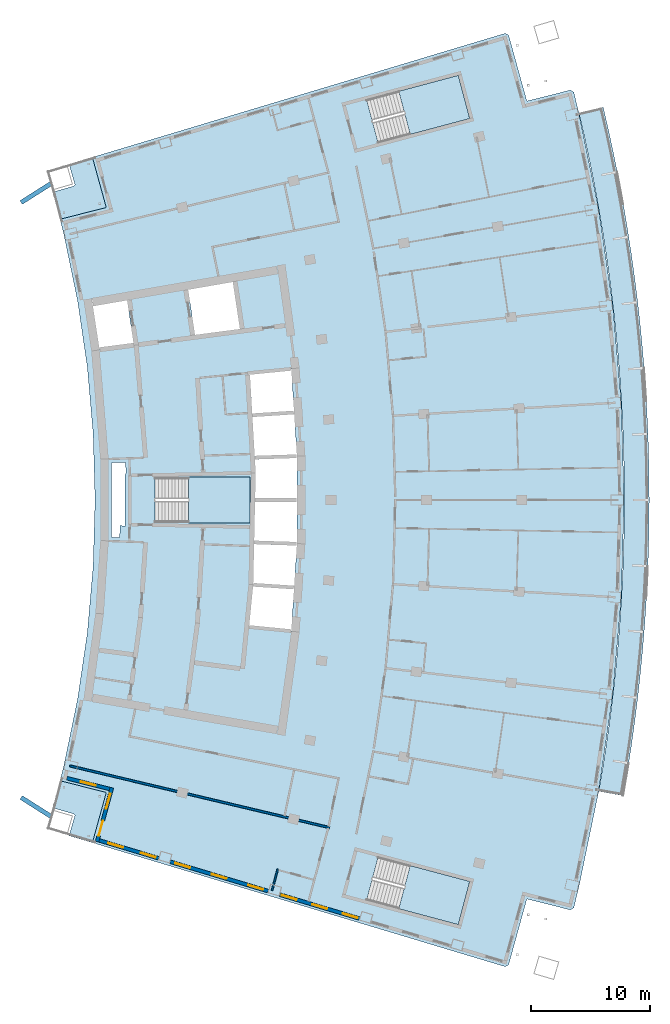
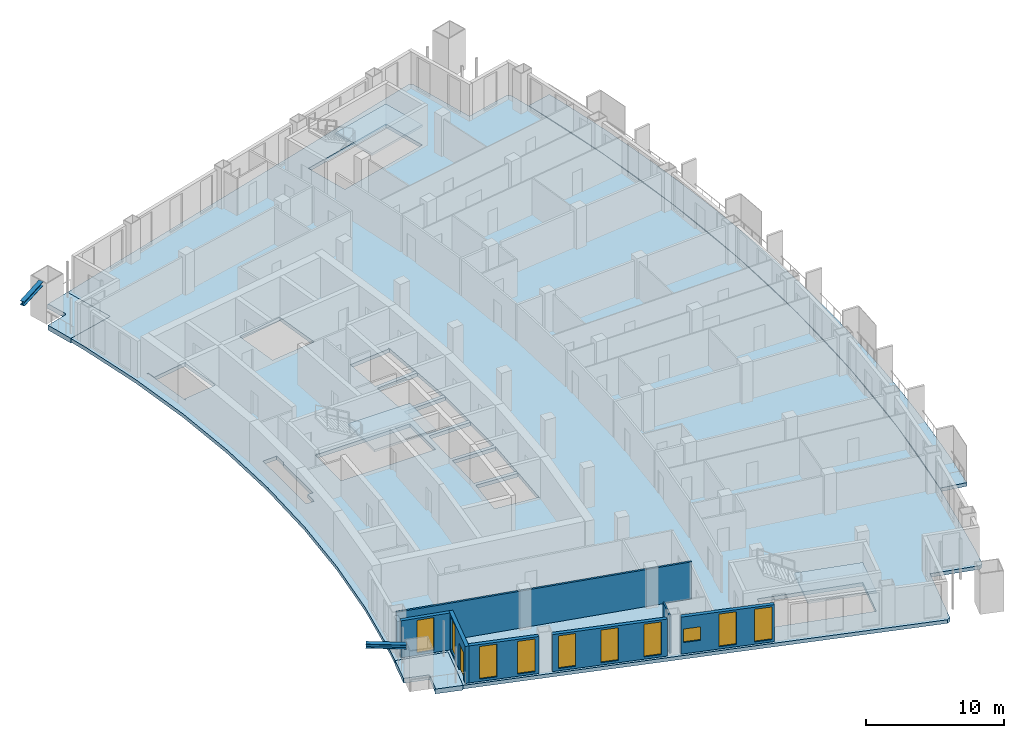
# One storey, part 9 of 20: 10 windows, 7 slabs, 7 walls, 2 members, 1 door, 11 openings, 3 elements without a shape of their own.
"""IFC4 building model written with IfcOpenShell, lengths in metres."""

import ifcopenshell
import ifcopenshell.guid

model = None  # the IFC model being written
_history = None  # IfcOwnerHistory: only IFC2X3 demands one
_inside = {}  # id of a spatial element -> (the spatial element, [elements in it])
_under = {}  # id of a project, library or spatial element -> (it, [spatial elements below it])
_declared = {}  # id of a project -> (the project, [libraries it declares])
_typed = {}  # id of a type object -> (the type object, [elements of that type])
_made_of = {}  # id of a material, layer set ... -> (it, [elements and type objects made of it])


def new_model(schema):
    """Start an empty IFC model of exactly this schema.

    Asked for "IFC4X3", IfcOpenShell would pick the latest addendum, in which some entities
    have other attributes; the version numbers below select the first issue.
    IFC2X3 requires an IfcOwnerHistory on every rooted entity: one is made here for all.
    """
    global model, _history
    if schema == "IFC4X3":
        model = ifcopenshell.file(schema_version=(4, 3, 0, 0))
    else:
        model = ifcopenshell.file(schema=schema)
    _inside.clear()
    _under.clear()
    _declared.clear()
    _typed.clear()
    _made_of.clear()
    _history = None
    if model.schema == "IFC2X3":
        org = make("IfcOrganization", Name="unknown")
        user = make(
            "IfcPersonAndOrganization",
            ThePerson=make("IfcPerson", FamilyName="unknown"),
            TheOrganization=org,
        )
        app = make(
            "IfcApplication",
            ApplicationDeveloper=org,
            Version="unknown",
            ApplicationFullName="unknown",
            ApplicationIdentifier="unknown",
        )
        _history = make(
            "IfcOwnerHistory",
            OwningUser=user,
            OwningApplication=app,
            ChangeAction="ADDED",
            CreationDate=0,
        )
    return model


def make(cls, **values):
    """One entity of the class cls with the attributes given. An attribute that is None is left unset."""
    return model.create_entity(
        cls, **{name: value for name, value in values.items() if value is not None}
    )


def rooted(cls, **values):
    """An entity with a GlobalId (a new one), such as an element, a storey or a relation."""
    return make(cls, GlobalId=ifcopenshell.guid.new(), OwnerHistory=_history, **values)


def si_unit(unit_type, name, prefix=None):
    """IfcSIUnit, for example si_unit("LENGTHUNIT", "METRE", prefix="MILLI")."""
    return make("IfcSIUnit", UnitType=unit_type, Prefix=prefix, Name=name)


def assignment(units):
    """IfcUnitAssignment: the units of a project."""
    return None if units is None else make("IfcUnitAssignment", Units=units)


def point(xyz):
    """IfcCartesianPoint."""
    return None if xyz is None else make("IfcCartesianPoint", Coordinates=xyz)


def direction(xyz):
    """IfcDirection."""
    return None if xyz is None else make("IfcDirection", DirectionRatios=xyz)


def frame(location, z_axis=None, x_axis=None):
    """IfcAxis2Placement3D, a coordinate frame: its origin and axes. An axis left out is left unset."""
    return make(
        "IfcAxis2Placement3D",
        Location=point(location),
        Axis=direction(z_axis),
        RefDirection=direction(x_axis),
    )


def frame_2d(location, x_axis=None):
    """IfcAxis2Placement2D, a coordinate frame in the plane: its origin and x axis."""
    return make(
        "IfcAxis2Placement2D", Location=point(location), RefDirection=direction(x_axis)
    )


def origin():
    """The frame at (0, 0, 0) with its axes left unset."""
    return frame((0.0, 0.0, 0.0))


def origin_2d():
    """The frame at (0, 0) in the plane with its x axis left unset."""
    return frame_2d((0.0, 0.0))


def place(relative_to, where):
    """IfcLocalPlacement: puts the frame where relative to a parent placement (None: the world)."""
    return make(
        "IfcLocalPlacement", PlacementRelTo=relative_to, RelativePlacement=where
    )


def context(
    kind, dimensions, precision=None, world=None, true_north=None, identifier=None
):
    """IfcGeometricRepresentationContext, for example the 3D "Model" context."""
    return make(
        "IfcGeometricRepresentationContext",
        ContextIdentifier=identifier,
        ContextType=kind,
        CoordinateSpaceDimension=dimensions,
        Precision=precision,
        WorldCoordinateSystem=world,
        TrueNorth=true_north,
    )


def subcontext(parent, identifier, kind, view, scale=None):
    """IfcGeometricRepresentationSubContext, for example "Body" below "Model"."""
    return make(
        "IfcGeometricRepresentationSubContext",
        ContextIdentifier=identifier,
        ContextType=kind,
        ParentContext=parent,
        TargetScale=scale,
        TargetView=view,
    )


def project(units=None, contexts=None):
    """IfcProject with its units and contexts."""
    return rooted(
        "IfcProject",
        Name="project",
        RepresentationContexts=contexts,
        UnitsInContext=assignment(units),
    )


def spatial(cls, under=None, at=None, **own):
    """A site, building, storey or space (cls), placed at a placement, below another one or the project."""
    s = rooted(cls, ObjectPlacement=at, **own)
    if under is not None:
        _under.setdefault(under.id(), (under, []))[1].append(s)
    return s


def polyline(points):
    """IfcPolyline through the points."""
    return make("IfcPolyline", Points=[point(p) for p in points])


def profile(cls, at=None, kind="AREA", **sizes):
    """A parametric profile (cls). Its sizes go by their IFC names, for example OverallWidth=200.0."""
    return make(cls, ProfileType=kind, Position=at, **sizes)


def rectangle(**sizes):
    """IfcRectangleProfileDef."""
    return profile("IfcRectangleProfileDef", **sizes)


def i_section(**sizes):
    """IfcIShapeProfileDef."""
    return profile("IfcIShapeProfileDef", **sizes)


def outline(outer, holes=None, kind="AREA"):
    """IfcArbitraryClosedProfileDef: a profile drawn as a closed curve; with holes, ...WithVoids."""
    if holes is None:
        return make("IfcArbitraryClosedProfileDef", ProfileType=kind, OuterCurve=outer)
    return make(
        "IfcArbitraryProfileDefWithVoids",
        ProfileType=kind,
        OuterCurve=outer,
        InnerCurves=holes,
    )


def extrude(swept, where, along, depth):
    """IfcExtrudedAreaSolid: the profile swept, set in the frame where, extruded along a direction by depth."""
    return make(
        "IfcExtrudedAreaSolid",
        SweptArea=swept,
        Position=where,
        ExtrudedDirection=direction(along),
        Depth=depth,
    )


def shape(context_of_items, identifier, shape_type, items):
    """IfcShapeRepresentation: the items that make up one representation, for example the "Body"."""
    return make(
        "IfcShapeRepresentation",
        ContextOfItems=context_of_items,
        RepresentationIdentifier=identifier,
        RepresentationType=shape_type,
        Items=items,
    )


def material(Name=None, Category=None):
    """IfcMaterial."""
    return make("IfcMaterial", Name=Name, Category=Category)


def layer(
    of_material, thickness, ventilated=None, Name=None, Category=None, Priority=None
):
    """IfcMaterialLayer: one layer of a wall or slab, of a material (None: an air gap)."""
    return make(
        "IfcMaterialLayer",
        Material=of_material,
        LayerThickness=thickness,
        IsVentilated=ventilated,
        Name=Name,
        Category=Category,
        Priority=Priority,
    )


def layer_set(layers, Name=None):
    """IfcMaterialLayerSet."""
    return make("IfcMaterialLayerSet", MaterialLayers=layers, LayerSetName=Name)


def material_profile(
    of_material, cross_section, Name=None, Category=None, Priority=None
):
    """IfcMaterialProfile: a cross section and its material."""
    return make(
        "IfcMaterialProfile",
        Name=Name,
        Material=of_material,
        Profile=cross_section,
        Priority=Priority,
        Category=Category,
    )


def profile_set(profiles, Name=None, composite=None):
    """IfcMaterialProfileSet."""
    return make(
        "IfcMaterialProfileSet",
        Name=Name,
        MaterialProfiles=profiles,
        CompositeProfile=composite,
    )


def made_of(thing, what):
    """Note that an element or type object is made of a material, layer set ...; save() writes the relation."""
    if what is not None:
        _made_of.setdefault(what.id(), (what, []))[1].append(thing)
    return thing


def type_object(cls, material=None, **own):
    """A type object (cls), such as IfcWallType, which elements share."""
    return made_of(rooted(cls, **own), material)


def element(
    cls,
    number,
    at=None,
    inside=None,
    cuts=None,
    type_object=None,
    material=None,
    context=None,
    identifier="Body",
    shape_type=None,
    held_by="IfcProductDefinitionShape",
    body=None,
    shapes=None,
    **own,
):
    """One element of the class cls, such as IfcWall. Its Tag is "e" and its number.

    at: its placement. inside: the storey or other place that contains it. cuts: it is an
    opening in that element (IfcRelVoidsElement). A single representation is given by context,
    identifier, shape_type and body (its items); several are given by shapes. held_by: the class
    of the entity that holds the representations. save() writes the other relations.
    """
    e = rooted(cls, Tag="e%d" % number, ObjectPlacement=at, **own)
    if body is not None:
        shapes = [shape(context, identifier, shape_type, body)]
    if shapes is not None:
        e.Representation = make(held_by, Representations=shapes)
    if inside is not None:
        _inside.setdefault(inside.id(), (inside, []))[1].append(e)
    if cuts is not None:
        rooted(
            "IfcRelVoidsElement", RelatingBuildingElement=cuts, RelatedOpeningElement=e
        )
    if type_object is not None:
        _typed.setdefault(type_object.id(), (type_object, []))[1].append(e)
    return made_of(e, material)


def fill(opening, filler):
    """IfcRelFillsElement: the door or window that sits in an opening."""
    return rooted(
        "IfcRelFillsElement",
        RelatingOpeningElement=opening,
        RelatedBuildingElement=filler,
    )


def aggregate(whole, parts):
    """IfcRelAggregates: a whole, such as a stair, and the parts it consists of."""
    return rooted("IfcRelAggregates", RelatingObject=whole, RelatedObjects=parts)


def save(model, path):
    """Write the relations noted so far, then the file.

    IfcRelAggregates (storeys below a building ...), IfcRelContainedInSpatialStructure (elements
    in a storey), IfcRelDefinesByType, IfcRelAssociatesMaterial and IfcRelDeclares: one each for
    every whole, place, type object, material and project.
    """
    for whole, parts in _under.values():
        aggregate(whole, parts)
    for where, things in _inside.values():
        rooted(
            "IfcRelContainedInSpatialStructure",
            RelatedElements=things,
            RelatingStructure=where,
        )
    for kind, things in _typed.values():
        rooted("IfcRelDefinesByType", RelatedObjects=things, RelatingType=kind)
    for what, things in _made_of.values():
        rooted("IfcRelAssociatesMaterial", RelatedObjects=things, RelatingMaterial=what)
    for by, libraries in _declared.values():
        rooted("IfcRelDeclares", RelatingContext=by, RelatedDefinitions=libraries)
    model.write(path)


model = new_model("IFC4")

# Units and contexts
model_context = context("Model", 3, precision=1e-05, world=origin(), true_north=direction((0.0, 1.0)))
body_context = subcontext(model_context, "Body", "Model", "MODEL_VIEW")
ifc_project = project(units=[si_unit("LENGTHUNIT", "METRE"), si_unit("AREAUNIT", "SQUARE_METRE"), si_unit("VOLUMEUNIT", "CUBIC_METRE"), si_unit("PLANEANGLEUNIT", "RADIAN"), si_unit("MASSUNIT", "GRAM", prefix="KILO")], contexts=[model_context])

# Site, building, storey
site_placement = place(None, origin())
site = spatial("IfcSite", under=ifc_project, at=site_placement, CompositionType="ELEMENT")
building_placement = place(site_placement, origin())
building = spatial("IfcBuilding", under=site, at=building_placement, Name="Alderwake Tower", CompositionType="ELEMENT")
storey_placement = place(building_placement, frame((0.0, 0.0, 153.199951171875)))
storey = spatial("IfcBuildingStorey", under=building, at=storey_placement, Name="L37", CompositionType="ELEMENT", Elevation=153.199951171875)

# Members
ifc_material_1 = material(Name="Steel ASTM A992 Grade 50", Category="steel")
ifc_material_profile = material_profile(ifc_material_1, i_section(OverallWidth=0.3740234375, OverallDepth=0.372314453125, WebThickness=0.016357421875, FlangeThickness=0.026123046875, at=origin_2d()), Name="W14X132")
ifc_profile_set = profile_set([ifc_material_profile], Name="Steel ASTM A992 Grade 50")
member_type = type_object("IfcMemberType", Name="Brace node stub W14X132", PredefinedType="MEMBER", material=ifc_profile_set)
for number, where, z_axis, x_axis, name in (
    (1, (12.305908203125, 34.4482421875, 3.393798828125), (-0.844355929009, 0.535782665964, 0.0), (-0.535782665964, -0.844355929009, 0.0), "Brace node stub BS.RR02-C0.1568"),
    (2, (12.305908203125, 87.5517578125, 3.393798828125), (-0.844355929009, -0.535782665964, 0.0), (0.535782665964, -0.844355929009, 0.0), "Brace node stub BS.RR12-C0.1568"),
):
    element("IfcMember", number, at=place(storey_placement, frame(where, z_axis=z_axis, x_axis=x_axis)), inside=storey, type_object=member_type, Name=name, PredefinedType="MEMBER", context=body_context, shape_type="SweptSolid", body=[
        extrude(i_section(OverallWidth=0.3740234375, OverallDepth=0.372314453125, WebThickness=0.016357421875, FlangeThickness=0.026123046875, at=origin_2d()), origin(), (0.0, 0.0, 1.0), 2.964599609375),
    ])

# Slabs
ifc_material_2 = material(Name="Concrete C50/60", Category="concrete")
ifc_layer_1 = layer(ifc_material_2, 0.320068359375)
ifc_layer_set_1 = layer_set([ifc_layer_1], Name="Balcony slab 320")
slab_type_1 = type_object("IfcSlabType", Name="Balcony slab 320", PredefinedType="FLOOR", material=ifc_layer_set_1)
slab_1_placement = place(storey_placement, frame((0.0, 0.0, -0.320068359375)))
element("IfcSlab", 3, at=slab_1_placement, inside=storey, type_object=slab_type_1, Name="Balcony BF04", PredefinedType="FLOOR", context=body_context, shape_type="SweptSolid", body=[
    extrude(outline(polyline([(60.67041015625, 38.238525390625), (60.9873046875, 40.292236328125), (61.2744140625, 42.3505859375), (61.53125, 44.41259765625), (61.758056640625, 46.478515625), (61.954833984375, 48.547119140625), (62.121337890625, 50.61865234375), (62.257568359375, 52.692138671875), (62.363525390625, 54.767578125), (62.439453125, 56.84423828125), (62.48486328125, 58.921875), (62.5, 61.0), (62.48486328125, 63.078125), (62.439453125, 65.15576171875), (62.363525390625, 67.232421875), (62.257568359375, 69.307861328125), (62.121337890625, 71.38134765625), (61.954833984375, 73.452880859375), (61.758056640625, 75.521484375), (61.53125, 77.58740234375), (61.2744140625, 79.6494140625), (60.9873046875, 81.707763671875), (60.67041015625, 83.761474609375), (60.323486328125, 85.810302734375), (59.94677734375, 87.85400390625), (59.540283203125, 89.89208984375), (59.104248046875, 91.923828125), (58.638427734375, 93.94921875), (56.59521484375, 93.46337890625), (57.05419921875, 91.468017578125), (57.48388671875, 89.46630859375), (57.884521484375, 87.458251953125), (58.255615234375, 85.44482421875), (58.597412109375, 83.426025390625), (58.90966796875, 81.402587890625), (59.1923828125, 79.37451171875), (59.445556640625, 77.343017578125), (59.669189453125, 75.3076171875), (59.86279296875, 73.269287109375), (60.02685546875, 71.228515625), (60.1611328125, 69.185302734375), (60.265625, 67.140380859375), (60.34033203125, 65.094482421875), (60.385009765625, 63.04736328125), (60.39990234375, 61.0), (60.385009765625, 58.95263671875), (60.34033203125, 56.905517578125), (60.265625, 54.859619140625), (60.1611328125, 52.814697265625), (60.02685546875, 50.771484375), (59.86279296875, 48.730712890625), (59.669189453125, 46.6923828125), (59.445556640625, 44.656982421875), (59.1923828125, 42.62548828125), (58.90966796875, 40.597412109375), (58.597412109375, 38.573974609375), (58.255615234375, 36.55517578125), (60.323486328125, 36.189697265625), (60.67041015625, 38.238525390625)])), origin(), (0.0, 0.0, 1.0), 0.320068359375),
])
ifc_material_3 = material(Name="Concrete C50/60", Category="concrete")
ifc_layer_2 = layer(ifc_material_3, 0.320068359375)
ifc_layer_set_2 = layer_set([ifc_layer_2], Name="Concrete C50/60 post-tensioned flat plate 320")
slab_type_2 = type_object("IfcSlabType", Name="Concrete C50/60 post-tensioned flat plate 320", PredefinedType="FLOOR", material=ifc_layer_set_2)
slab_2_placement = place(storey_placement, frame((0.0, 0.0, -0.320068359375)))
element("IfcSlab", 4, at=slab_2_placement, inside=storey, type_object=slab_type_2, Name="Floor slab L37", PredefinedType="FLOOR", context=body_context, shape_type="SweptSolid", body=[
    extrude(outline(polyline([(13.06494140625, 37.443115234375), (13.3984375, 38.802734375), (14.53369140625, 44.28564453125), (15.347412109375, 49.825439453125), (15.836669921875, 55.4033203125), (16.0, 61.0), (15.836669921875, 66.5966796875), (15.347412109375, 72.174560546875), (14.53369140625, 77.71435546875), (13.3984375, 83.197265625), (13.06494140625, 84.556884765625), (16.942626953125, 85.53857421875), (15.776611328125, 89.7548828125), (50.4189453125, 100.155517578125), (50.70068359375, 100.0), (52.229736328125, 94.470458984375), (55.884521484375, 95.3955078125), (56.162109375, 95.228515625), (56.59521484375, 93.46337890625), (58.255615234375, 85.44482421875), (59.445556640625, 77.343017578125), (60.1611328125, 69.185302734375), (60.39990234375, 61.0), (60.1611328125, 52.814697265625), (59.445556640625, 44.656982421875), (58.255615234375, 36.55517578125), (56.59521484375, 28.53662109375), (56.162109375, 26.771484375), (55.884521484375, 26.6044921875), (52.229736328125, 27.529541015625), (50.70068359375, 22.0), (50.4189453125, 21.844482421875), (15.776611328125, 32.2451171875), (16.942626953125, 36.46142578125), (13.06494140625, 37.443115234375)]), holes=[polyline([(29.2578125, 53.77197265625), (28.9365234375, 50.4912109375), (32.447509765625, 50.147705078125), (32.432861328125, 49.998291015625), (32.462646484375, 49.995361328125), (32.701416015625, 53.660888671875), (32.940185546875, 57.32666015625), (32.940185546875, 61.0), (32.940185546875, 64.67333984375), (32.701416015625, 68.339111328125), (32.462646484375, 72.004638671875), (32.432861328125, 72.001708984375), (32.447509765625, 71.852294921875), (28.886962890625, 71.50390625), (28.88720703125, 71.50048828125), (28.99462890625, 71.506591796875), (29.184814453125, 68.26025390625), (32.66162109375, 68.48681640625), (32.67138671875, 68.337158203125), (32.68115234375, 68.1875), (29.2021484375, 67.960693359375), (29.392578125, 64.7080078125), (32.9052734375, 64.822265625), (32.91015625, 64.67236328125), (32.9150390625, 64.5224609375), (29.41015625, 64.408447265625), (29.4765625, 63.27685546875), (29.429443359375, 61.14990234375), (32.91015625, 61.14990234375), (32.91015625, 61.0), (32.91015625, 60.85009765625), (29.4228515625, 60.85009765625), (29.350830078125, 57.593505859375), (32.9150390625, 57.4775390625), (32.91015625, 57.32763671875), (32.9052734375, 57.177734375), (29.34423828125, 57.29345703125), (29.2705078125, 53.969482421875), (29.274169921875, 53.969482421875), (29.2783203125, 54.0341796875), (32.68115234375, 53.8125), (32.67138671875, 53.662841796875), (32.66162109375, 53.51318359375), (29.2587890625, 53.73486328125), (29.26123046875, 53.771728515625), (29.2578125, 53.77197265625)]), polyline([(21.050048828125, 62.875), (21.050048828125, 59.125), (29.0, 59.125), (29.0, 62.875), (21.050048828125, 62.875)]), polyline([(15.739013671875, 77.927490234375), (15.5361328125, 77.8916015625), (15.536865234375, 77.887939453125), (15.716796875, 77.91552734375), (16.379150390625, 73.605712890625), (16.4091796875, 73.609619140625), (16.38330078125, 73.80810546875), (19.224853515625, 74.1796875), (18.689697265625, 77.74365234375), (18.885986328125, 77.773193359375), (18.8837890625, 77.787109375), (15.854248046875, 77.261962890625), (15.739013671875, 77.927490234375)]), polyline([(27.555419921875, 79.29052734375), (23.811767578125, 78.6416015625), (24.384033203125, 74.8583984375), (24.373291015625, 74.856689453125), (24.373779296875, 74.85302734375), (28.152587890625, 75.347412109375), (27.555419921875, 79.29052734375)]), polyline([(47.436279296875, 28.996826171875), (39.754150390625, 31.043212890625), (38.7890625, 27.41943359375), (46.47119140625, 25.373291015625), (47.436279296875, 28.996826171875)]), polyline([(46.47119140625, 96.626708984375), (38.7890625, 94.58056640625), (39.754150390625, 90.956787109375), (47.436279296875, 93.003173828125), (46.47119140625, 96.626708984375)]), polyline([(17.389404296875, 64.1220703125), (17.389404296875, 57.8779296875), (18.06298828125, 57.85400390625), (18.090576171875, 58.84375), (18.544189453125, 58.831298828125), (18.529296875, 58.8681640625), (18.5234375, 58.891845703125), (18.5185546875, 58.940673828125), (18.5185546875, 63.060302734375), (18.5234375, 63.109130859375), (18.53759765625, 63.156005859375), (18.560791015625, 63.19921875), (18.588623046875, 63.2333984375), (18.562744140625, 64.16357421875), (17.389404296875, 64.1220703125)])]), origin(), (0.0, 0.0, 1.0), 0.320068359375),
])

# Stair, slab
ifc_material_4 = material(Name="Concrete C40/50", Category="concrete")
stair_type = type_object("IfcStairType", Name="Core exit stair", PredefinedType="HALF_TURN_STAIR", material=ifc_material_4)
stair_1_placement = place(storey_placement, origin())
stair_1 = element("IfcStair", 5, at=stair_1_placement, inside=storey, type_object=stair_type, Name="L37 Exit Stair B", PredefinedType="HALF_TURN_STAIR")
ifc_material_5 = material(Name="Concrete C40/50", Category="concrete")
ifc_layer_3 = layer(ifc_material_5, 0.199951171875)
ifc_layer_set_3 = layer_set([ifc_layer_3], Name="Core stair landing 200")
slab_type_3 = type_object("IfcSlabType", Name="Core stair landing 200", PredefinedType="LANDING", material=ifc_layer_set_3)
slab_3_placement = place(storey_placement, frame((0.0, 0.0, 1.60009765625)))
slab_3 = element("IfcSlab", 6, at=slab_3_placement, type_object=slab_type_3, Name="ST-B landing 1", PredefinedType="LANDING", context=body_context, shape_type="SweptSolid", body=[
    extrude(outline(polyline([(23.830078125, 59.074951171875), (29.0, 59.074951171875), (29.0, 62.925048828125), (23.830078125, 62.925048828125), (23.830078125, 59.074951171875)])), origin(), (0.0, 0.0, 1.0), 0.199951171875),
])
aggregate(stair_1, [slab_3])

stair_2_placement = place(storey_placement, origin())
stair_2 = element("IfcStair", 7, at=stair_2_placement, inside=storey, type_object=stair_type, Name="L37 Exit Stair A", PredefinedType="HALF_TURN_STAIR")
slab_4_placement = place(storey_placement, frame((0.0, 0.0, 1.60009765625)))
slab_4 = element("IfcSlab", 8, at=slab_4_placement, type_object=slab_type_3, Name="ST-A landing 1", PredefinedType="LANDING", context=body_context, shape_type="SweptSolid", body=[
    extrude(outline(polyline([(42.440673828125, 91.67236328125), (47.436279296875, 93.003173828125), (46.47119140625, 96.626708984375), (41.475341796875, 95.296142578125), (42.440673828125, 91.67236328125)])), origin(), (0.0, 0.0, 1.0), 0.199951171875),
])
aggregate(stair_2, [slab_4])

stair_3_placement = place(storey_placement, origin())
stair_3 = element("IfcStair", 9, at=stair_3_placement, inside=storey, type_object=stair_type, Name="L37 Exit Stair C", PredefinedType="HALF_TURN_STAIR")
slab_5_placement = place(storey_placement, frame((0.0, 0.0, 1.60009765625)))
slab_5 = element("IfcSlab", 10, at=slab_5_placement, type_object=slab_type_3, Name="ST-C landing 1", PredefinedType="LANDING", context=body_context, shape_type="SweptSolid", body=[
    extrude(outline(polyline([(41.475341796875, 26.703857421875), (46.47119140625, 25.373291015625), (47.436279296875, 28.996826171875), (42.4404296875, 30.32763671875), (41.475341796875, 26.703857421875)])), origin(), (0.0, 0.0, 1.0), 0.199951171875),
])
aggregate(stair_3, [slab_5])

# Slabs
ifc_material_6 = material(Name="Concrete C50/60", Category="concrete")
ifc_layer_4 = layer(ifc_material_6, 0.419921875)
ifc_layer_set_4 = layer_set([ifc_layer_4], Name="Terrace slab 420")
slab_type_4 = type_object("IfcSlabType", Name="Terrace slab 420", PredefinedType="FLOOR", material=ifc_layer_set_4)
slab_6_placement = place(storey_placement, frame((0.0, 0.0, -0.419921875)))
element("IfcSlab", 11, at=slab_6_placement, inside=storey, type_object=slab_type_4, Name="Corner terrace RS", PredefinedType="FLOOR", context=body_context, shape_type="SweptSolid", body=[
    extrude(outline(polyline([(15.776611328125, 32.2451171875), (13.768798828125, 32.847900390625), (13.77685546875, 32.851806640625), (13.789306640625, 32.859619140625), (13.801025390625, 32.868408203125), (13.81201171875, 32.878662109375), (13.82177734375, 32.8896484375), (13.830322265625, 32.901611328125), (13.837646484375, 32.914306640625), (13.84375, 32.927490234375), (13.8486328125, 32.94140625), (14.29443359375, 34.478271484375), (14.2978515625, 34.492431640625), (14.2998046875, 34.507080078125), (14.30029296875, 34.521728515625), (14.29931640625, 34.53662109375), (14.297119140625, 34.551025390625), (14.29345703125, 34.565185546875), (14.2880859375, 34.5791015625), (14.28173828125, 34.59228515625), (14.27392578125, 34.604736328125), (14.26513671875, 34.616455078125), (14.255126953125, 34.627197265625), (14.244140625, 34.63720703125), (14.232177734375, 34.645751953125), (14.219482421875, 34.653076171875), (14.2060546875, 34.6591796875), (14.192138671875, 34.6640625), (12.46337890625, 35.16552734375), (12.456787109375, 35.1669921875), (12.71142578125, 36.08837890625), (13.06494140625, 37.443115234375), (16.942626953125, 36.46142578125), (15.776611328125, 32.2451171875)])), origin(), (0.0, 0.0, 1.0), 0.419921875),
])
slab_7_placement = place(storey_placement, frame((0.0, 0.0, -0.419921875)))
element("IfcSlab", 12, at=slab_7_placement, inside=storey, type_object=slab_type_4, Name="Corner terrace RN", PredefinedType="FLOOR", context=body_context, shape_type="SweptSolid", body=[
    extrude(outline(polyline([(12.456787109375, 86.8330078125), (12.46337890625, 86.83447265625), (14.192138671875, 87.3359375), (14.2060546875, 87.3408203125), (14.219482421875, 87.346923828125), (14.232177734375, 87.354248046875), (14.244140625, 87.36279296875), (14.255126953125, 87.372802734375), (14.26513671875, 87.383544921875), (14.27392578125, 87.395263671875), (14.28173828125, 87.40771484375), (14.2880859375, 87.4208984375), (14.29345703125, 87.434814453125), (14.297119140625, 87.448974609375), (14.29931640625, 87.46337890625), (14.30029296875, 87.478271484375), (14.2998046875, 87.492919921875), (14.2978515625, 87.507568359375), (14.29443359375, 87.521728515625), (13.8486328125, 89.05859375), (13.84375, 89.072509765625), (13.837646484375, 89.085693359375), (13.830322265625, 89.098388671875), (13.82177734375, 89.1103515625), (13.81201171875, 89.121337890625), (13.801025390625, 89.131591796875), (13.789306640625, 89.140380859375), (13.77685546875, 89.148193359375), (13.768798828125, 89.152099609375), (15.776611328125, 89.7548828125), (16.942626953125, 85.53857421875), (13.06494140625, 84.556884765625), (12.71142578125, 85.91162109375), (12.456787109375, 86.8330078125)])), origin(), (0.0, 0.0, 1.0), 0.419921875),
])

# Wall
ifc_material_7 = material(Name="Gypsum board on metal studs, rated")
ifc_layer_5 = layer(ifc_material_7, 0.159912109375)
ifc_layer_set_5 = layer_set([ifc_layer_5], Name="Corridor wall 160")
wall_type_1 = type_object("IfcWallType", Name="Corridor wall 160", PredefinedType="PARTITIONING", material=ifc_layer_set_5)
wall_1_placement = place(storey_placement, frame((13.884033203125, 38.68798828125, 0.0), z_axis=(0.0, 0.0, 1.0), x_axis=(0.972893462073, -0.231253781493, 0.0)))
element("IfcWall", 13, at=wall_1_placement, inside=storey, type_object=wall_type_1, Name="WL/L37/W11", PredefinedType="PARTITIONING", context=body_context, shape_type="SweptSolid", body=[
    extrude(rectangle(XDim=22.38037109375, YDim=0.159912109375, at=frame_2d((11.190185546875, 0.0))), origin(), (0.0, 0.0, 1.0), 3.280029296875),
])

# Wall, opening, window
ifc_material_8 = material(Name="Bronze metal cladding on lightweight framing")
ifc_layer_6 = layer(ifc_material_8, 0.300048828125)
ifc_layer_set_6 = layer_set([ifc_layer_6], Name="External wall EW2 bronze metal cladding")
wall_type_2 = type_object("IfcWallType", Name="External wall EW2 bronze metal cladding", PredefinedType="SOLIDWALL", material=ifc_layer_set_6)
wall_2_placement = place(storey_placement, frame((13.633056640625, 37.660400390625, 0.0), z_axis=(0.0, 0.0, 1.0), x_axis=(0.969417366605, -0.245417948254, 0.0)))
wall_2 = element("IfcWall", 14, at=wall_2_placement, inside=storey, type_object=wall_type_2, Name="External wall 2", PredefinedType="SOLIDWALL", context=body_context, shape_type="SweptSolid", body=[
    extrude(rectangle(XDim=3.70556640625, YDim=0.300048828125, at=frame_2d((1.852783203125, 0.0))), origin(), (0.0, 0.0, 1.0), 3.280029296875),
])
opening_1_placement = place(wall_2_placement, frame((1.202880859375, 0.0, 0.199951171875)))
opening_1 = element("IfcOpeningElement", 15, at=opening_1_placement, cuts=wall_2, Name="Opening W1", PredefinedType="OPENING", context=body_context, shape_type="SweptSolid", body=[
    extrude(rectangle(XDim=1.300048828125, YDim=2.89990234375, at=frame_2d((0.64990234375, 1.449951171875))), frame((0.0, 0.159912109375, 0.0), z_axis=(0.0, -1.0, 0.0), x_axis=(1.0, 0.0, 0.0)), (0.0, 0.0, 1.0), 0.320068359375),
])
ifc_material_9 = material(Name="Bronze tinted glass in aluminium frame", Category="aluminium")
window_type_1 = type_object("IfcWindowType", Name="Window W1 tall fixed and vent", PartitioningType="DOUBLE_PANEL_VERTICAL", PredefinedType="WINDOW", material=ifc_material_9)
window_1_placement = place(opening_1_placement, origin())
window_1 = element("IfcWindow", 16, at=window_1_placement, inside=storey, type_object=window_type_1, Name="Window W1 tall fixed and vent", OverallHeight=2.89990234375, OverallWidth=1.300048828125, PartitioningType="DOUBLE_PANEL_VERTICAL", PredefinedType="WINDOW", context=body_context, shape_type="SweptSolid", body=[
    extrude(rectangle(XDim=1.300048828125, YDim=2.89990234375, at=frame_2d((0.64990234375, 1.449951171875))), frame((0.0, 0.030029296875, 0.0), z_axis=(0.0, -1.0, 0.0), x_axis=(1.0, 0.0, 0.0)), (0.0, 0.0, 1.0), 0.06005859375),
])
fill(opening_1, window_1)

# Wall, openings, door, window
wall_3_placement = place(storey_placement, frame((17.410400390625, 36.85888671875, 0.0), z_axis=(0.0, 0.0, 1.0), x_axis=(-0.264592640785, -0.96436027212, 0.0)))
wall_3 = element("IfcWall", 17, at=wall_3_placement, inside=storey, type_object=wall_type_2, Name="External wall 3", PredefinedType="SOLIDWALL", context=body_context, shape_type="SweptSolid", body=[
    extrude(rectangle(XDim=4.690185546875, YDim=0.300048828125, at=frame_2d((2.34521484375, 0.0))), origin(), (0.0, 0.0, 1.0), 3.280029296875),
])
opening_2_placement = place(wall_3_placement, frame((0.5224609375, 0.0, 0.199951171875)))
opening_2 = element("IfcOpeningElement", 18, at=opening_2_placement, cuts=wall_3, Name="Opening W1", PredefinedType="OPENING", context=body_context, shape_type="SweptSolid", body=[
    extrude(rectangle(XDim=1.300048828125, YDim=2.89990234375, at=frame_2d((0.64990234375, 1.449951171875))), frame((0.0, 0.159912109375, 0.0), z_axis=(0.0, -1.0, 0.0), x_axis=(1.0, 0.0, 0.0)), (0.0, 0.0, 1.0), 0.320068359375),
])
opening_3_placement = place(wall_3_placement, frame((2.867431640625, 0.0, 0.0)))
opening_3 = element("IfcOpeningElement", 19, at=opening_3_placement, cuts=wall_3, Name="Opening D01", PredefinedType="OPENING", context=body_context, shape_type="SweptSolid", body=[
    extrude(rectangle(XDim=1.300048828125, YDim=2.39990234375, at=frame_2d((0.64990234375, 1.199951171875))), frame((0.0, 0.159912109375, 0.0), z_axis=(0.0, -1.0, 0.0), x_axis=(1.0, 0.0, 0.0)), (0.0, 0.0, 1.0), 0.320068359375),
])
ifc_material_10 = material(Name="Bronze tinted glass in aluminium frame", Category="aluminium")
door_type = type_object("IfcDoorType", Name="Balcony door BD sliding", OperationType="SLIDING_TO_LEFT", PredefinedType="DOOR", material=ifc_material_10)
door_placement = place(opening_3_placement, origin())
door = element("IfcDoor", 20, at=door_placement, inside=storey, type_object=door_type, Name="Door D01", OperationType="SLIDING_TO_LEFT", OverallHeight=2.39990234375, OverallWidth=1.300048828125, PredefinedType="DOOR", context=body_context, shape_type="SweptSolid", body=[
    extrude(rectangle(XDim=1.300048828125, YDim=2.39990234375, at=frame_2d((0.64990234375, 1.199951171875))), frame((0.0, 0.02490234375, 0.0), z_axis=(0.0, -1.0, 0.0), x_axis=(1.0, 0.0, 0.0)), (0.0, 0.0, 1.0), 0.050048828125),
])
fill(opening_3, door)
window_2_placement = place(opening_2_placement, origin())
window_2 = element("IfcWindow", 21, at=window_2_placement, inside=storey, type_object=window_type_1, Name="Window W1 tall fixed and vent", OverallHeight=2.89990234375, OverallWidth=1.300048828125, PartitioningType="DOUBLE_PANEL_VERTICAL", PredefinedType="WINDOW", context=body_context, shape_type="SweptSolid", body=[
    extrude(rectangle(XDim=1.300048828125, YDim=2.89990234375, at=frame_2d((0.64990234375, 1.449951171875))), frame((0.0, 0.030029296875, 0.0), z_axis=(0.0, -1.0, 0.0), x_axis=(1.0, 0.0, 0.0)), (0.0, 0.0, 1.0), 0.06005859375),
])
fill(opening_2, window_2)

# Wall, openings, windows
wall_4_placement = place(storey_placement, frame((16.352783203125, 32.4375, 0.0), z_axis=(0.0, 0.0, 1.0), x_axis=(0.95776681843, -0.287546033732, 0.0)))
wall_4 = element("IfcWall", 22, at=wall_4_placement, inside=storey, type_object=wall_type_2, Name="External wall 4", PredefinedType="SOLIDWALL", context=body_context, shape_type="SweptSolid", body=[
    extrude(rectangle(XDim=5.199462890625, YDim=0.300048828125, at=frame_2d((2.599609375, 0.0))), origin(), (0.0, 0.0, 1.0), 3.280029296875),
])
opening_4_placement = place(wall_4_placement, frame((0.775390625, 0.0, 0.199951171875)))
opening_4 = element("IfcOpeningElement", 23, at=opening_4_placement, cuts=wall_4, Name="Opening W1", PredefinedType="OPENING", context=body_context, shape_type="SweptSolid", body=[
    extrude(rectangle(XDim=1.300048828125, YDim=2.89990234375, at=frame_2d((0.64990234375, 1.449951171875))), frame((0.0, 0.159912109375, 0.0), z_axis=(0.0, -1.0, 0.0), x_axis=(1.0, 0.0, 0.0)), (0.0, 0.0, 1.0), 0.320068359375),
])
opening_5_placement = place(wall_4_placement, frame((3.626220703125, 0.0, 0.199951171875)))
opening_5 = element("IfcOpeningElement", 24, at=opening_5_placement, cuts=wall_4, Name="Opening W1", PredefinedType="OPENING", context=body_context, shape_type="SweptSolid", body=[
    extrude(rectangle(XDim=1.300048828125, YDim=2.89990234375, at=frame_2d((0.64990234375, 1.449951171875))), frame((0.0, 0.159912109375, 0.0), z_axis=(0.0, -1.0, 0.0), x_axis=(1.0, 0.0, 0.0)), (0.0, 0.0, 1.0), 0.320068359375),
])
window_3_placement = place(opening_4_placement, origin())
window_3 = element("IfcWindow", 25, at=window_3_placement, inside=storey, type_object=window_type_1, Name="Window W1 tall fixed and vent", OverallHeight=2.89990234375, OverallWidth=1.300048828125, PartitioningType="DOUBLE_PANEL_VERTICAL", PredefinedType="WINDOW", context=body_context, shape_type="SweptSolid", body=[
    extrude(rectangle(XDim=1.300048828125, YDim=2.89990234375, at=frame_2d((0.64990234375, 1.449951171875))), frame((0.0, 0.030029296875, 0.0), z_axis=(0.0, -1.0, 0.0), x_axis=(1.0, 0.0, 0.0)), (0.0, 0.0, 1.0), 0.06005859375),
])
fill(opening_4, window_3)
window_4_placement = place(opening_5_placement, origin())
window_4 = element("IfcWindow", 26, at=window_4_placement, inside=storey, type_object=window_type_1, Name="Window W1 tall fixed and vent", OverallHeight=2.89990234375, OverallWidth=1.300048828125, PartitioningType="DOUBLE_PANEL_VERTICAL", PredefinedType="WINDOW", context=body_context, shape_type="SweptSolid", body=[
    extrude(rectangle(XDim=1.300048828125, YDim=2.89990234375, at=frame_2d((0.64990234375, 1.449951171875))), frame((0.0, 0.030029296875, 0.0), z_axis=(0.0, -1.0, 0.0), x_axis=(1.0, 0.0, 0.0)), (0.0, 0.0, 1.0), 0.06005859375),
])
fill(opening_5, window_4)

wall_5_placement = place(storey_placement, frame((22.294677734375, 30.653564453125, 0.0), z_axis=(0.0, 0.0, 1.0), x_axis=(0.957768419769, -0.287540699891, 0.0)))
wall_5 = element("IfcWall", 27, at=wall_5_placement, inside=storey, type_object=wall_type_2, Name="External wall 5", PredefinedType="SOLIDWALL", context=body_context, shape_type="SweptSolid", body=[
    extrude(rectangle(XDim=8.595947265625, YDim=0.300048828125, at=frame_2d((4.2978515625, 0.0))), origin(), (0.0, 0.0, 1.0), 3.280029296875),
])
opening_6_placement = place(wall_5_placement, frame((0.44775390625, 0.0, 0.199951171875)))
opening_6 = element("IfcOpeningElement", 28, at=opening_6_placement, cuts=wall_5, Name="Opening W1", PredefinedType="OPENING", context=body_context, shape_type="SweptSolid", body=[
    extrude(rectangle(XDim=1.300048828125, YDim=2.89990234375, at=frame_2d((0.64990234375, 1.449951171875))), frame((0.0, 0.159912109375, 0.0), z_axis=(0.0, -1.0, 0.0), x_axis=(1.0, 0.0, 0.0)), (0.0, 0.0, 1.0), 0.320068359375),
])
opening_7_placement = place(wall_5_placement, frame((3.647705078125, 0.0, 0.199951171875)))
opening_7 = element("IfcOpeningElement", 29, at=opening_7_placement, cuts=wall_5, Name="Opening W1", PredefinedType="OPENING", context=body_context, shape_type="SweptSolid", body=[
    extrude(rectangle(XDim=1.300048828125, YDim=2.89990234375, at=frame_2d((0.64990234375, 1.449951171875))), frame((0.0, 0.159912109375, 0.0), z_axis=(0.0, -1.0, 0.0), x_axis=(1.0, 0.0, 0.0)), (0.0, 0.0, 1.0), 0.320068359375),
])
opening_8_placement = place(wall_5_placement, frame((6.847900390625, 0.0, 0.199951171875)))
opening_8 = element("IfcOpeningElement", 30, at=opening_8_placement, cuts=wall_5, Name="Opening W1", PredefinedType="OPENING", context=body_context, shape_type="SweptSolid", body=[
    extrude(rectangle(XDim=1.300048828125, YDim=2.89990234375, at=frame_2d((0.64990234375, 1.449951171875))), frame((0.0, 0.159912109375, 0.0), z_axis=(0.0, -1.0, 0.0), x_axis=(1.0, 0.0, 0.0)), (0.0, 0.0, 1.0), 0.320068359375),
])
window_5_placement = place(opening_6_placement, origin())
window_5 = element("IfcWindow", 31, at=window_5_placement, inside=storey, type_object=window_type_1, Name="Window W1 tall fixed and vent", OverallHeight=2.89990234375, OverallWidth=1.300048828125, PartitioningType="DOUBLE_PANEL_VERTICAL", PredefinedType="WINDOW", context=body_context, shape_type="SweptSolid", body=[
    extrude(rectangle(XDim=1.300048828125, YDim=2.89990234375, at=frame_2d((0.64990234375, 1.449951171875))), frame((0.0, 0.030029296875, 0.0), z_axis=(0.0, -1.0, 0.0), x_axis=(1.0, 0.0, 0.0)), (0.0, 0.0, 1.0), 0.06005859375),
])
fill(opening_6, window_5)
window_6_placement = place(opening_7_placement, origin())
window_6 = element("IfcWindow", 32, at=window_6_placement, inside=storey, type_object=window_type_1, Name="Window W1 tall fixed and vent", OverallHeight=2.89990234375, OverallWidth=1.300048828125, PartitioningType="DOUBLE_PANEL_VERTICAL", PredefinedType="WINDOW", context=body_context, shape_type="SweptSolid", body=[
    extrude(rectangle(XDim=1.300048828125, YDim=2.89990234375, at=frame_2d((0.64990234375, 1.449951171875))), frame((0.0, 0.030029296875, 0.0), z_axis=(0.0, -1.0, 0.0), x_axis=(1.0, 0.0, 0.0)), (0.0, 0.0, 1.0), 0.06005859375),
])
fill(opening_7, window_6)
window_7_placement = place(opening_8_placement, origin())
window_7 = element("IfcWindow", 33, at=window_7_placement, inside=storey, type_object=window_type_1, Name="Window W1 tall fixed and vent", OverallHeight=2.89990234375, OverallWidth=1.300048828125, PartitioningType="DOUBLE_PANEL_VERTICAL", PredefinedType="WINDOW", context=body_context, shape_type="SweptSolid", body=[
    extrude(rectangle(XDim=1.300048828125, YDim=2.89990234375, at=frame_2d((0.64990234375, 1.449951171875))), frame((0.0, 0.030029296875, 0.0), z_axis=(0.0, -1.0, 0.0), x_axis=(1.0, 0.0, 0.0)), (0.0, 0.0, 1.0), 0.06005859375),
])
fill(opening_8, window_7)

wall_6_placement = place(storey_placement, frame((31.4892578125, 27.893310546875, 0.0), z_axis=(0.0, 0.0, 1.0), x_axis=(0.957757105671, -0.287578383292, 0.0)))
wall_6 = element("IfcWall", 34, at=wall_6_placement, inside=storey, type_object=wall_type_2, Name="External wall 6", PredefinedType="SOLIDWALL", context=body_context, shape_type="SweptSolid", body=[
    extrude(rectangle(XDim=6.996337890625, YDim=0.300048828125, at=frame_2d((3.498046875, 0.0))), origin(), (0.0, 0.0, 1.0), 3.280029296875),
])
opening_9_placement = place(wall_6_placement, frame((0.181396484375, 0.0, 1.0)))
opening_9 = element("IfcOpeningElement", 35, at=opening_9_placement, cuts=wall_6, Name="Opening W2", PredefinedType="OPENING", context=body_context, shape_type="SweptSolid", body=[
    extrude(rectangle(XDim=1.300048828125, YDim=1.199951171875, at=frame_2d((0.64990234375, 0.60009765625))), frame((0.0, 0.159912109375, 0.0), z_axis=(0.0, -1.0, 0.0), x_axis=(1.0, 0.0, 0.0)), (0.0, 0.0, 1.0), 0.320068359375),
])
opening_10_placement = place(wall_6_placement, frame((2.847900390625, 0.0, 0.199951171875)))
opening_10 = element("IfcOpeningElement", 36, at=opening_10_placement, cuts=wall_6, Name="Opening W1", PredefinedType="OPENING", context=body_context, shape_type="SweptSolid", body=[
    extrude(rectangle(XDim=1.300048828125, YDim=2.89990234375, at=frame_2d((0.64990234375, 1.449951171875))), frame((0.0, 0.159912109375, 0.0), z_axis=(0.0, -1.0, 0.0), x_axis=(1.0, 0.0, 0.0)), (0.0, 0.0, 1.0), 0.320068359375),
])
opening_11_placement = place(wall_6_placement, frame((5.5146484375, 0.0, 0.199951171875)))
opening_11 = element("IfcOpeningElement", 37, at=opening_11_placement, cuts=wall_6, Name="Opening W1", PredefinedType="OPENING", context=body_context, shape_type="SweptSolid", body=[
    extrude(rectangle(XDim=1.300048828125, YDim=2.89990234375, at=frame_2d((0.64990234375, 1.449951171875))), frame((0.0, 0.159912109375, 0.0), z_axis=(0.0, -1.0, 0.0), x_axis=(1.0, 0.0, 0.0)), (0.0, 0.0, 1.0), 0.320068359375),
])
window_8_placement = place(opening_10_placement, origin())
window_8 = element("IfcWindow", 38, at=window_8_placement, inside=storey, type_object=window_type_1, Name="Window W1 tall fixed and vent", OverallHeight=2.89990234375, OverallWidth=1.300048828125, PartitioningType="DOUBLE_PANEL_VERTICAL", PredefinedType="WINDOW", context=body_context, shape_type="SweptSolid", body=[
    extrude(rectangle(XDim=1.300048828125, YDim=2.89990234375, at=frame_2d((0.64990234375, 1.449951171875))), frame((0.0, 0.030029296875, 0.0), z_axis=(0.0, -1.0, 0.0), x_axis=(1.0, 0.0, 0.0)), (0.0, 0.0, 1.0), 0.06005859375),
])
fill(opening_10, window_8)
window_9_placement = place(opening_11_placement, origin())
window_9 = element("IfcWindow", 39, at=window_9_placement, inside=storey, type_object=window_type_1, Name="Window W1 tall fixed and vent", OverallHeight=2.89990234375, OverallWidth=1.300048828125, PartitioningType="DOUBLE_PANEL_VERTICAL", PredefinedType="WINDOW", context=body_context, shape_type="SweptSolid", body=[
    extrude(rectangle(XDim=1.300048828125, YDim=2.89990234375, at=frame_2d((0.64990234375, 1.449951171875))), frame((0.0, 0.030029296875, 0.0), z_axis=(0.0, -1.0, 0.0), x_axis=(1.0, 0.0, 0.0)), (0.0, 0.0, 1.0), 0.06005859375),
])
fill(opening_11, window_9)
ifc_material_11 = material(Name="Bronze tinted glass in aluminium frame", Category="aluminium")
window_type_2 = type_object("IfcWindowType", Name="Window W2 kitchen and bath", PartitioningType="SINGLE_PANEL", PredefinedType="WINDOW", material=ifc_material_11)
window_10_placement = place(opening_9_placement, origin())
window_10 = element("IfcWindow", 40, at=window_10_placement, inside=storey, type_object=window_type_2, Name="Window W2 kitchen and bath", OverallHeight=1.199951171875, OverallWidth=1.300048828125, PartitioningType="SINGLE_PANEL", PredefinedType="WINDOW", context=body_context, shape_type="SweptSolid", body=[
    extrude(rectangle(XDim=1.300048828125, YDim=1.199951171875, at=frame_2d((0.64990234375, 0.60009765625))), frame((0.0, 0.030029296875, 0.0), z_axis=(0.0, -1.0, 0.0), x_axis=(1.0, 0.0, 0.0)), (0.0, 0.0, 1.0), 0.06005859375),
])
fill(opening_9, window_10)

# Wall
ifc_material_12 = material(Name="Moisture resistant gypsum board on metal studs")
ifc_layer_7 = layer(ifc_material_12, 0.1201171875)
ifc_layer_set_7 = layer_set([ifc_layer_7], Name="Wet room partition 120")
wall_type_3 = type_object("IfcWallType", Name="Wet room partition 120", PredefinedType="PARTITIONING", material=ifc_layer_set_7)
wall_7_placement = place(storey_placement, frame((31.32958984375, 30.031005859375, 0.0), z_axis=(0.0, 0.0, 1.0), x_axis=(-0.259368447521, -0.965778446866, 0.0)))
element("IfcWall", 41, at=wall_7_placement, inside=storey, type_object=wall_type_3, Name="WL/L37/W31", PredefinedType="PARTITIONING", context=body_context, shape_type="SweptSolid", body=[
    extrude(rectangle(XDim=1.8525390625, YDim=0.1201171875, at=frame_2d((0.92626953125, 0.0))), origin(), (0.0, 0.0, 1.0), 3.280029296875),
])

save(model, "model.ifc")
